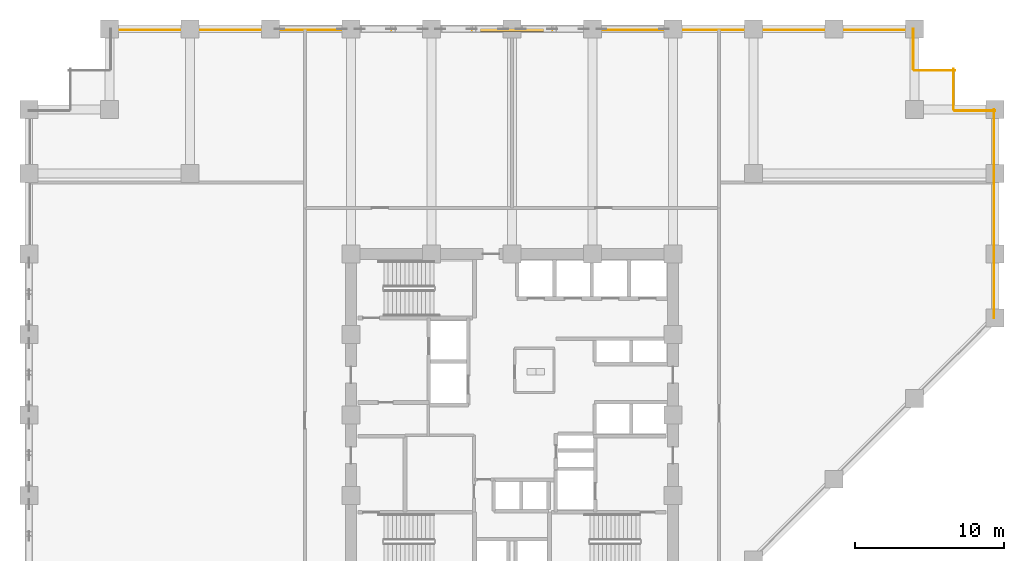
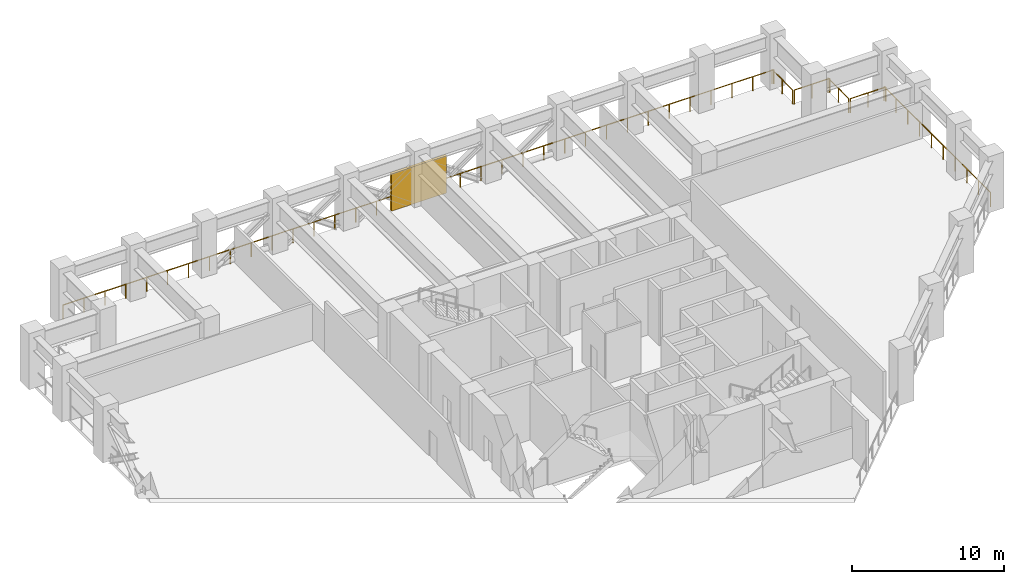
# One storey, part 11 of 12: 6 railings, 1 shading device.
"""IFC4 building model written with IfcOpenShell, lengths in metres."""

import ifcopenshell
import ifcopenshell.guid

model = None  # the IFC model being written
_history = None  # IfcOwnerHistory: only IFC2X3 demands one
_inside = {}  # id of a spatial element -> (the spatial element, [elements in it])
_under = {}  # id of a project, library or spatial element -> (it, [spatial elements below it])
_declared = {}  # id of a project -> (the project, [libraries it declares])
_typed = {}  # id of a type object -> (the type object, [elements of that type])
_made_of = {}  # id of a material, layer set ... -> (it, [elements and type objects made of it])


def new_model(schema):
    """Start an empty IFC model of exactly this schema.

    Asked for "IFC4X3", IfcOpenShell would pick the latest addendum, in which some entities
    have other attributes; the version numbers below select the first issue.
    IFC2X3 requires an IfcOwnerHistory on every rooted entity: one is made here for all.
    """
    global model, _history
    if schema == "IFC4X3":
        model = ifcopenshell.file(schema_version=(4, 3, 0, 0))
    else:
        model = ifcopenshell.file(schema=schema)
    _inside.clear()
    _under.clear()
    _declared.clear()
    _typed.clear()
    _made_of.clear()
    _history = None
    if model.schema == "IFC2X3":
        org = make("IfcOrganization", Name="unknown")
        user = make(
            "IfcPersonAndOrganization",
            ThePerson=make("IfcPerson", FamilyName="unknown"),
            TheOrganization=org,
        )
        app = make(
            "IfcApplication",
            ApplicationDeveloper=org,
            Version="unknown",
            ApplicationFullName="unknown",
            ApplicationIdentifier="unknown",
        )
        _history = make(
            "IfcOwnerHistory",
            OwningUser=user,
            OwningApplication=app,
            ChangeAction="ADDED",
            CreationDate=0,
        )
    return model


def make(cls, **values):
    """One entity of the class cls with the attributes given. An attribute that is None is left unset."""
    return model.create_entity(
        cls, **{name: value for name, value in values.items() if value is not None}
    )


def rooted(cls, **values):
    """An entity with a GlobalId (a new one), such as an element, a storey or a relation."""
    return make(cls, GlobalId=ifcopenshell.guid.new(), OwnerHistory=_history, **values)


def si_unit(unit_type, name, prefix=None):
    """IfcSIUnit, for example si_unit("LENGTHUNIT", "METRE", prefix="MILLI")."""
    return make("IfcSIUnit", UnitType=unit_type, Prefix=prefix, Name=name)


def assignment(units):
    """IfcUnitAssignment: the units of a project."""
    return None if units is None else make("IfcUnitAssignment", Units=units)


def point(xyz):
    """IfcCartesianPoint."""
    return None if xyz is None else make("IfcCartesianPoint", Coordinates=xyz)


def direction(xyz):
    """IfcDirection."""
    return None if xyz is None else make("IfcDirection", DirectionRatios=xyz)


def frame(location, z_axis=None, x_axis=None):
    """IfcAxis2Placement3D, a coordinate frame: its origin and axes. An axis left out is left unset."""
    return make(
        "IfcAxis2Placement3D",
        Location=point(location),
        Axis=direction(z_axis),
        RefDirection=direction(x_axis),
    )


def frame_2d(location, x_axis=None):
    """IfcAxis2Placement2D, a coordinate frame in the plane: its origin and x axis."""
    return make(
        "IfcAxis2Placement2D", Location=point(location), RefDirection=direction(x_axis)
    )


def origin():
    """The frame at (0, 0, 0) with its axes left unset."""
    return frame((0.0, 0.0, 0.0))


def origin_2d():
    """The frame at (0, 0) in the plane with its x axis left unset."""
    return frame_2d((0.0, 0.0))


def place(relative_to, where):
    """IfcLocalPlacement: puts the frame where relative to a parent placement (None: the world)."""
    return make(
        "IfcLocalPlacement", PlacementRelTo=relative_to, RelativePlacement=where
    )


def context(
    kind, dimensions, precision=None, world=None, true_north=None, identifier=None
):
    """IfcGeometricRepresentationContext, for example the 3D "Model" context."""
    return make(
        "IfcGeometricRepresentationContext",
        ContextIdentifier=identifier,
        ContextType=kind,
        CoordinateSpaceDimension=dimensions,
        Precision=precision,
        WorldCoordinateSystem=world,
        TrueNorth=true_north,
    )


def subcontext(parent, identifier, kind, view, scale=None):
    """IfcGeometricRepresentationSubContext, for example "Body" below "Model"."""
    return make(
        "IfcGeometricRepresentationSubContext",
        ContextIdentifier=identifier,
        ContextType=kind,
        ParentContext=parent,
        TargetScale=scale,
        TargetView=view,
    )


def project(units=None, contexts=None):
    """IfcProject with its units and contexts."""
    return rooted(
        "IfcProject",
        Name="project",
        RepresentationContexts=contexts,
        UnitsInContext=assignment(units),
    )


def spatial(cls, under=None, at=None, **own):
    """A site, building, storey or space (cls), placed at a placement, below another one or the project."""
    s = rooted(cls, ObjectPlacement=at, **own)
    if under is not None:
        _under.setdefault(under.id(), (under, []))[1].append(s)
    return s


def profile(cls, at=None, kind="AREA", **sizes):
    """A parametric profile (cls). Its sizes go by their IFC names, for example OverallWidth=200.0."""
    return make(cls, ProfileType=kind, Position=at, **sizes)


def rectangle(**sizes):
    """IfcRectangleProfileDef."""
    return profile("IfcRectangleProfileDef", **sizes)


def circle(**sizes):
    """IfcCircleProfileDef."""
    return profile("IfcCircleProfileDef", **sizes)


def extrude(swept, where, along, depth):
    """IfcExtrudedAreaSolid: the profile swept, set in the frame where, extruded along a direction by depth."""
    return make(
        "IfcExtrudedAreaSolid",
        SweptArea=swept,
        Position=where,
        ExtrudedDirection=direction(along),
        Depth=depth,
    )


def shape(context_of_items, identifier, shape_type, items):
    """IfcShapeRepresentation: the items that make up one representation, for example the "Body"."""
    return make(
        "IfcShapeRepresentation",
        ContextOfItems=context_of_items,
        RepresentationIdentifier=identifier,
        RepresentationType=shape_type,
        Items=items,
    )


def material(Name=None, Category=None):
    """IfcMaterial."""
    return make("IfcMaterial", Name=Name, Category=Category)


def made_of(thing, what):
    """Note that an element or type object is made of a material, layer set ...; save() writes the relation."""
    if what is not None:
        _made_of.setdefault(what.id(), (what, []))[1].append(thing)
    return thing


def type_object(cls, material=None, **own):
    """A type object (cls), such as IfcWallType, which elements share."""
    return made_of(rooted(cls, **own), material)


def element(
    cls,
    number,
    at=None,
    inside=None,
    cuts=None,
    type_object=None,
    material=None,
    context=None,
    identifier="Body",
    shape_type=None,
    held_by="IfcProductDefinitionShape",
    body=None,
    shapes=None,
    **own,
):
    """One element of the class cls, such as IfcWall. Its Tag is "e" and its number.

    at: its placement. inside: the storey or other place that contains it. cuts: it is an
    opening in that element (IfcRelVoidsElement). A single representation is given by context,
    identifier, shape_type and body (its items); several are given by shapes. held_by: the class
    of the entity that holds the representations. save() writes the other relations.
    """
    e = rooted(cls, Tag="e%d" % number, ObjectPlacement=at, **own)
    if body is not None:
        shapes = [shape(context, identifier, shape_type, body)]
    if shapes is not None:
        e.Representation = make(held_by, Representations=shapes)
    if inside is not None:
        _inside.setdefault(inside.id(), (inside, []))[1].append(e)
    if cuts is not None:
        rooted(
            "IfcRelVoidsElement", RelatingBuildingElement=cuts, RelatedOpeningElement=e
        )
    if type_object is not None:
        _typed.setdefault(type_object.id(), (type_object, []))[1].append(e)
    return made_of(e, material)


def aggregate(whole, parts):
    """IfcRelAggregates: a whole, such as a stair, and the parts it consists of."""
    return rooted("IfcRelAggregates", RelatingObject=whole, RelatedObjects=parts)


def save(model, path):
    """Write the relations noted so far, then the file.

    IfcRelAggregates (storeys below a building ...), IfcRelContainedInSpatialStructure (elements
    in a storey), IfcRelDefinesByType, IfcRelAssociatesMaterial and IfcRelDeclares: one each for
    every whole, place, type object, material and project.
    """
    for whole, parts in _under.values():
        aggregate(whole, parts)
    for where, things in _inside.values():
        rooted(
            "IfcRelContainedInSpatialStructure",
            RelatedElements=things,
            RelatingStructure=where,
        )
    for kind, things in _typed.values():
        rooted("IfcRelDefinesByType", RelatedObjects=things, RelatingType=kind)
    for what, things in _made_of.values():
        rooted("IfcRelAssociatesMaterial", RelatedObjects=things, RelatingMaterial=what)
    for by, libraries in _declared.values():
        rooted("IfcRelDeclares", RelatingContext=by, RelatedDefinitions=libraries)
    model.write(path)


model = new_model("IFC4")

# Units and contexts
model_context = context("Model", 3, precision=1e-05, world=origin(), true_north=direction((0.0, 1.0)))
body_context = subcontext(model_context, "Body", "Model", "MODEL_VIEW")
ifc_project = project(units=[si_unit("LENGTHUNIT", "METRE"), si_unit("AREAUNIT", "SQUARE_METRE"), si_unit("VOLUMEUNIT", "CUBIC_METRE"), si_unit("PLANEANGLEUNIT", "RADIAN"), si_unit("MASSUNIT", "GRAM", prefix="KILO")], contexts=[model_context])

# Site, building, storey
site_placement = place(None, origin())
site = spatial("IfcSite", under=ifc_project, at=site_placement, CompositionType="ELEMENT")
building_placement = place(site_placement, origin())
building = spatial("IfcBuilding", under=site, at=building_placement, Name="Surkhivell Harbour Commons", CompositionType="ELEMENT")
storey_placement = place(building_placement, frame((0.0, 0.0, 78.75)))
storey = spatial("IfcBuildingStorey", under=building, at=storey_placement, Name="L20", CompositionType="ELEMENT", Elevation=78.75)

# Railings
ifc_material_1 = material(Name="Laminated safety glass and stainless steel S355 balustrade", Category="steel")
railing_type = type_object("IfcRailingType", Name="RAL-BAL-1150", PredefinedType="BALUSTRADE", material=ifc_material_1)
railing_1_placement = place(storey_placement, frame((32.320068359375, 6.5, 0.0)))
element("IfcRailing", 1, at=railing_1_placement, inside=storey, type_object=railing_type, Name="L20 Perimeter Safety Guard 03", PredefinedType="BALUSTRADE", context=body_context, shape_type="SweptSolid", body=[
    extrude(circle(Radius=0.02392578125, at=origin_2d()), frame((0.0, 0.0, 1.1259765625), z_axis=(0.0, 1.0, 0.0), x_axis=(-1.0, 0.0, 0.0)), (0.0, 0.0, 1.0), 14.0),
    extrude(circle(Radius=0.02099609375, at=origin_2d()), origin(), (0.0, 0.0, 1.0), 1.101806640625),
    extrude(circle(Radius=0.02099609375, at=origin_2d()), frame((0.0, 1.5556640625, 0.0)), (0.0, 0.0, 1.0), 1.101806640625),
    extrude(circle(Radius=0.02099609375, at=origin_2d()), frame((0.0, 3.111083984375, 0.0)), (0.0, 0.0, 1.0), 1.101806640625),
    extrude(circle(Radius=0.02099609375, at=origin_2d()), frame((0.0, 4.666748046875, 0.0)), (0.0, 0.0, 1.0), 1.101806640625),
    extrude(circle(Radius=0.02099609375, at=origin_2d()), frame((0.0, 6.22216796875, 0.0)), (0.0, 0.0, 1.0), 1.101806640625),
    extrude(circle(Radius=0.02099609375, at=origin_2d()), frame((0.0, 7.77783203125, 0.0)), (0.0, 0.0, 1.0), 1.101806640625),
    extrude(circle(Radius=0.02099609375, at=origin_2d()), frame((0.0, 9.333251953125, 0.0)), (0.0, 0.0, 1.0), 1.101806640625),
    extrude(circle(Radius=0.02099609375, at=origin_2d()), frame((0.0, 10.888916015625, 0.0)), (0.0, 0.0, 1.0), 1.101806640625),
    extrude(circle(Radius=0.02099609375, at=origin_2d()), frame((0.0, 12.4443359375, 0.0)), (0.0, 0.0, 1.0), 1.101806640625),
    extrude(circle(Radius=0.02099609375, at=origin_2d()), frame((0.0, 14.0, 0.0)), (0.0, 0.0, 1.0), 1.101806640625),
])
railing_2_placement = place(storey_placement, frame((32.39990234375, 20.419921875, 0.0)))
element("IfcRailing", 2, at=railing_2_placement, inside=storey, type_object=railing_type, Name="L20 Perimeter Safety Guard 04", PredefinedType="BALUSTRADE", context=body_context, shape_type="SweptSolid", body=[
    extrude(circle(Radius=0.02392578125, at=origin_2d()), frame((0.0, 0.0, 1.1259765625), z_axis=(-1.0, 0.0, 0.0), x_axis=(0.0, -1.0, 0.0)), (0.0, 0.0, 1.0), 2.699951171875),
    extrude(circle(Radius=0.02099609375, at=origin_2d()), origin(), (0.0, 0.0, 1.0), 1.101806640625),
    extrude(circle(Radius=0.02099609375, at=origin_2d()), frame((-1.35009765625, 0.0, 0.0)), (0.0, 0.0, 1.0), 1.101806640625),
    extrude(circle(Radius=0.02099609375, at=origin_2d()), frame((-2.699951171875, 0.0, 0.0)), (0.0, 0.0, 1.0), 1.101806640625),
])
railing_3_placement = place(storey_placement, frame((29.6201171875, 20.5, 0.0)))
element("IfcRailing", 3, at=railing_3_placement, inside=storey, type_object=railing_type, Name="L20 Perimeter Safety Guard 05", PredefinedType="BALUSTRADE", context=body_context, shape_type="SweptSolid", body=[
    extrude(circle(Radius=0.02392578125, at=origin_2d()), frame((0.0, 0.0, 1.1259765625), z_axis=(0.0, 1.0, 0.0), x_axis=(-1.0, 0.0, 0.0)), (0.0, 0.0, 1.0), 2.699951171875),
    extrude(circle(Radius=0.02099609375, at=origin_2d()), origin(), (0.0, 0.0, 1.0), 1.101806640625),
    extrude(circle(Radius=0.02099609375, at=origin_2d()), frame((0.0, 1.35009765625, 0.0)), (0.0, 0.0, 1.0), 1.101806640625),
    extrude(circle(Radius=0.02099609375, at=origin_2d()), frame((0.0, 2.699951171875, 0.0)), (0.0, 0.0, 1.0), 1.101806640625),
])
railing_4_placement = place(storey_placement, frame((29.699951171875, 23.1201171875, 0.0)))
element("IfcRailing", 4, at=railing_4_placement, inside=storey, type_object=railing_type, Name="L20 Perimeter Safety Guard 06", PredefinedType="BALUSTRADE", context=body_context, shape_type="SweptSolid", body=[
    extrude(circle(Radius=0.02392578125, at=origin_2d()), frame((0.0, 0.0, 1.1259765625), z_axis=(-1.0, 0.0, 0.0), x_axis=(0.0, -1.0, 0.0)), (0.0, 0.0, 1.0), 2.699951171875),
    extrude(circle(Radius=0.02099609375, at=origin_2d()), origin(), (0.0, 0.0, 1.0), 1.101806640625),
    extrude(circle(Radius=0.02099609375, at=origin_2d()), frame((-1.35009765625, 0.0, 0.0)), (0.0, 0.0, 1.0), 1.101806640625),
    extrude(circle(Radius=0.02099609375, at=origin_2d()), frame((-2.699951171875, 0.0, 0.0)), (0.0, 0.0, 1.0), 1.101806640625),
])
railing_5_placement = place(storey_placement, frame((26.919921875, 23.199951171875, 0.0)))
element("IfcRailing", 5, at=railing_5_placement, inside=storey, type_object=railing_type, Name="L20 Perimeter Safety Guard 07", PredefinedType="BALUSTRADE", context=body_context, shape_type="SweptSolid", body=[
    extrude(circle(Radius=0.02392578125, at=origin_2d()), frame((0.0, 0.0, 1.1259765625), z_axis=(0.0, 1.0, 0.0), x_axis=(-1.0, 0.0, 0.0)), (0.0, 0.0, 1.0), 2.699951171875),
    extrude(circle(Radius=0.02099609375, at=origin_2d()), origin(), (0.0, 0.0, 1.0), 1.101806640625),
    extrude(circle(Radius=0.02099609375, at=origin_2d()), frame((0.0, 1.35009765625, 0.0)), (0.0, 0.0, 1.0), 1.101806640625),
    extrude(circle(Radius=0.02099609375, at=origin_2d()), frame((0.0, 2.699951171875, 0.0)), (0.0, 0.0, 1.0), 1.101806640625),
])
railing_6_placement = place(storey_placement, frame((27.0, 25.820068359375, 0.0)))
element("IfcRailing", 6, at=railing_6_placement, inside=storey, type_object=railing_type, Name="L20 Perimeter Safety Guard 08", PredefinedType="BALUSTRADE", context=body_context, shape_type="SweptSolid", body=[
    extrude(circle(Radius=0.02392578125, at=origin_2d()), frame((0.0, 0.0, 1.1259765625), z_axis=(-1.0, 0.0, 0.0), x_axis=(0.0, -1.0, 0.0)), (0.0, 0.0, 1.0), 54.0),
    extrude(circle(Radius=0.02099609375, at=origin_2d()), origin(), (0.0, 0.0, 1.0), 1.101806640625),
    extrude(circle(Radius=0.02099609375, at=origin_2d()), frame((-1.588134765625, 0.0, 0.0)), (0.0, 0.0, 1.0), 1.101806640625),
    extrude(circle(Radius=0.02099609375, at=origin_2d()), frame((-3.176513671875, 0.0, 0.0)), (0.0, 0.0, 1.0), 1.101806640625),
    extrude(circle(Radius=0.02099609375, at=origin_2d()), frame((-4.7646484375, 0.0, 0.0)), (0.0, 0.0, 1.0), 1.101806640625),
    extrude(circle(Radius=0.02099609375, at=origin_2d()), frame((-6.35302734375, 0.0, 0.0)), (0.0, 0.0, 1.0), 1.101806640625),
    extrude(circle(Radius=0.02099609375, at=origin_2d()), frame((-7.941162109375, 0.0, 0.0)), (0.0, 0.0, 1.0), 1.101806640625),
    extrude(circle(Radius=0.02099609375, at=origin_2d()), frame((-9.529296875, 0.0, 0.0)), (0.0, 0.0, 1.0), 1.101806640625),
    extrude(circle(Radius=0.02099609375, at=origin_2d()), frame((-11.11767578125, 0.0, 0.0)), (0.0, 0.0, 1.0), 1.101806640625),
    extrude(circle(Radius=0.02099609375, at=origin_2d()), frame((-12.705810546875, 0.0, 0.0)), (0.0, 0.0, 1.0), 1.101806640625),
    extrude(circle(Radius=0.02099609375, at=origin_2d()), frame((-14.294189453125, 0.0, 0.0)), (0.0, 0.0, 1.0), 1.101806640625),
    extrude(circle(Radius=0.02099609375, at=origin_2d()), frame((-15.88232421875, 0.0, 0.0)), (0.0, 0.0, 1.0), 1.101806640625),
    extrude(circle(Radius=0.02099609375, at=origin_2d()), frame((-17.470703125, 0.0, 0.0)), (0.0, 0.0, 1.0), 1.101806640625),
    extrude(circle(Radius=0.02099609375, at=origin_2d()), frame((-19.058837890625, 0.0, 0.0)), (0.0, 0.0, 1.0), 1.101806640625),
    extrude(circle(Radius=0.02099609375, at=origin_2d()), frame((-20.64697265625, 0.0, 0.0)), (0.0, 0.0, 1.0), 1.101806640625),
    extrude(circle(Radius=0.02099609375, at=origin_2d()), frame((-22.2353515625, 0.0, 0.0)), (0.0, 0.0, 1.0), 1.101806640625),
    extrude(circle(Radius=0.02099609375, at=origin_2d()), frame((-23.823486328125, 0.0, 0.0)), (0.0, 0.0, 1.0), 1.101806640625),
    extrude(circle(Radius=0.02099609375, at=origin_2d()), frame((-25.411865234375, 0.0, 0.0)), (0.0, 0.0, 1.0), 1.101806640625),
    extrude(circle(Radius=0.02099609375, at=origin_2d()), frame((-27.0, 0.0, 0.0)), (0.0, 0.0, 1.0), 1.101806640625),
    extrude(circle(Radius=0.02099609375, at=origin_2d()), frame((-28.588134765625, 0.0, 0.0)), (0.0, 0.0, 1.0), 1.101806640625),
    extrude(circle(Radius=0.02099609375, at=origin_2d()), frame((-30.176513671875, 0.0, 0.0)), (0.0, 0.0, 1.0), 1.101806640625),
    extrude(circle(Radius=0.02099609375, at=origin_2d()), frame((-31.7646484375, 0.0, 0.0)), (0.0, 0.0, 1.0), 1.101806640625),
    extrude(circle(Radius=0.02099609375, at=origin_2d()), frame((-33.35302734375, 0.0, 0.0)), (0.0, 0.0, 1.0), 1.101806640625),
    extrude(circle(Radius=0.02099609375, at=origin_2d()), frame((-34.941162109375, 0.0, 0.0)), (0.0, 0.0, 1.0), 1.101806640625),
    extrude(circle(Radius=0.02099609375, at=origin_2d()), frame((-36.529296875, 0.0, 0.0)), (0.0, 0.0, 1.0), 1.101806640625),
    extrude(circle(Radius=0.02099609375, at=origin_2d()), frame((-38.11767578125, 0.0, 0.0)), (0.0, 0.0, 1.0), 1.101806640625),
    extrude(circle(Radius=0.02099609375, at=origin_2d()), frame((-39.705810546875, 0.0, 0.0)), (0.0, 0.0, 1.0), 1.101806640625),
    extrude(circle(Radius=0.02099609375, at=origin_2d()), frame((-41.294189453125, 0.0, 0.0)), (0.0, 0.0, 1.0), 1.101806640625),
    extrude(circle(Radius=0.02099609375, at=origin_2d()), frame((-42.88232421875, 0.0, 0.0)), (0.0, 0.0, 1.0), 1.101806640625),
    extrude(circle(Radius=0.02099609375, at=origin_2d()), frame((-44.470703125, 0.0, 0.0)), (0.0, 0.0, 1.0), 1.101806640625),
    extrude(circle(Radius=0.02099609375, at=origin_2d()), frame((-46.058837890625, 0.0, 0.0)), (0.0, 0.0, 1.0), 1.101806640625),
    extrude(circle(Radius=0.02099609375, at=origin_2d()), frame((-47.64697265625, 0.0, 0.0)), (0.0, 0.0, 1.0), 1.101806640625),
    extrude(circle(Radius=0.02099609375, at=origin_2d()), frame((-49.2353515625, 0.0, 0.0)), (0.0, 0.0, 1.0), 1.101806640625),
    extrude(circle(Radius=0.02099609375, at=origin_2d()), frame((-50.823486328125, 0.0, 0.0)), (0.0, 0.0, 1.0), 1.101806640625),
    extrude(circle(Radius=0.02099609375, at=origin_2d()), frame((-52.411865234375, 0.0, 0.0)), (0.0, 0.0, 1.0), 1.101806640625),
    extrude(circle(Radius=0.02099609375, at=origin_2d()), frame((-54.0, 0.0, 0.0)), (0.0, 0.0, 1.0), 1.101806640625),
])

# Shading device
ifc_material_2 = material(Name="Pale-metal acoustic weather louvre assembly", Category="aluminium")
shading_device_type = type_object("IfcShadingDeviceType", Name="SHD-LOUV-JAL", PredefinedType="JALOUSIE", material=ifc_material_2)
shading_device_placement = place(storey_placement, frame((0.0, 25.820068359375, 0.0), z_axis=(0.0, 0.0, 1.0), x_axis=(1.0, 0.0, 0.0)))
element("IfcShadingDevice", 7, at=shading_device_placement, inside=storey, type_object=shading_device_type, Name="L20 Plant Acoustic Louvre Screen LV-08", PredefinedType="JALOUSIE", context=body_context, shape_type="SweptSolid", body=[
    extrude(rectangle(XDim=4.199951171875, YDim=0.179931640625, at=origin_2d()), origin(), (0.0, 0.0, 1.0), 3.0),
])

save(model, "model.ifc")
